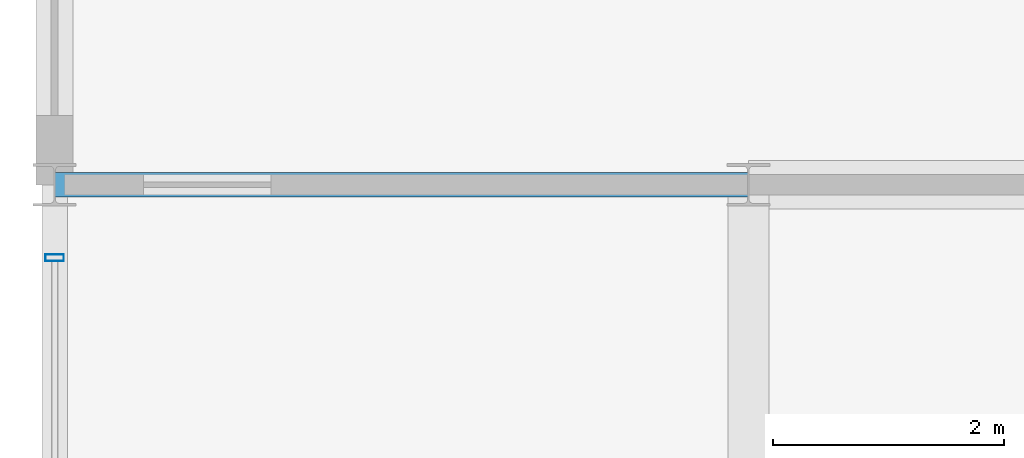
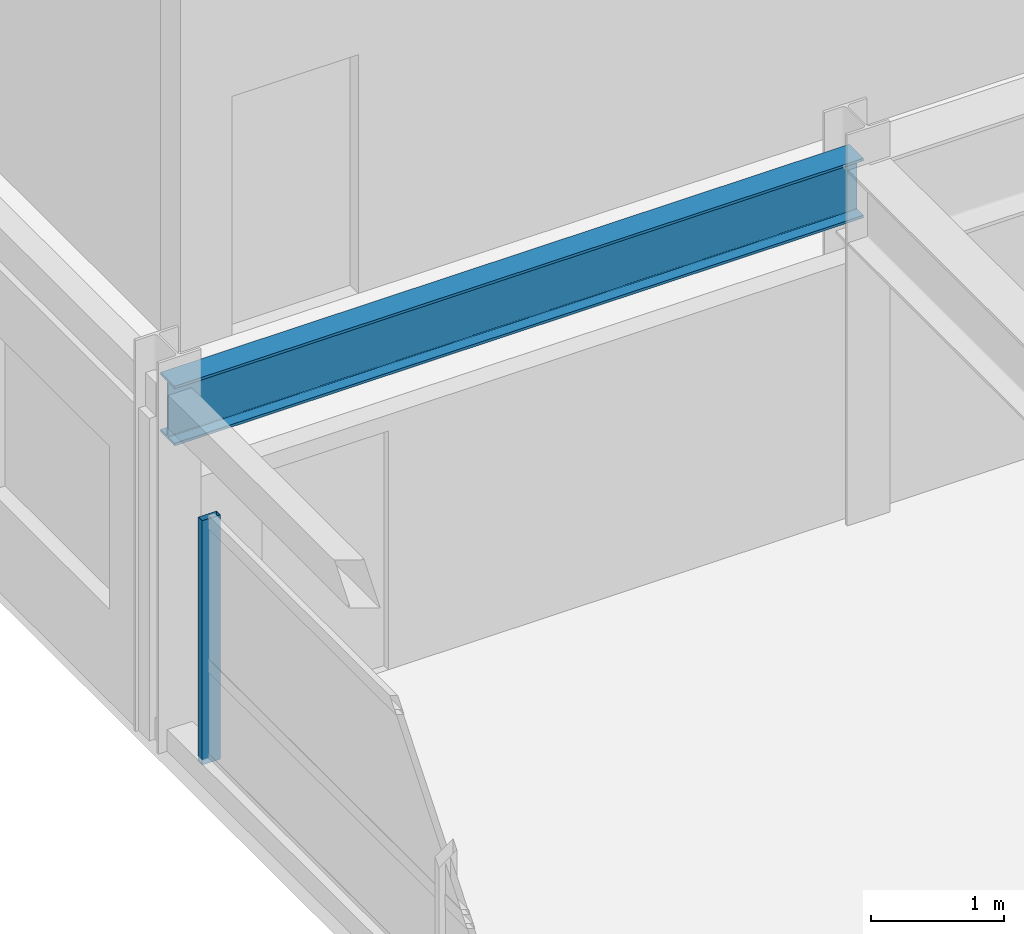
# One storey, part 4 of 22: 1 beam, 1 member, 1 element without a shape of its own.
"""IFC4 building model written with IfcOpenShell, lengths in metres."""

from ifc_helpers import new_model, si_unit, direction, frame, origin, origin_2d, place, context, subcontext, project, spatial, hollow_rectangle, i_section, extrude, material, material_profile, profile_set, type_object, element, aggregate, save


model = new_model("IFC4")

# Units and contexts
model_context = context("Model", 3, precision=1e-05, world=origin(), true_north=direction((0.0, 1.0)))
body_context = subcontext(model_context, "Body", "Model", "MODEL_VIEW")
ifc_project = project(units=[si_unit("LENGTHUNIT", "METRE"), si_unit("AREAUNIT", "SQUARE_METRE"), si_unit("VOLUMEUNIT", "CUBIC_METRE"), si_unit("PLANEANGLEUNIT", "RADIAN"), si_unit("MASSUNIT", "GRAM", prefix="KILO")], contexts=[model_context])

# Site, building, storey
site_placement = place(None, origin())
site = spatial("IfcSite", under=ifc_project, at=site_placement, CompositionType="ELEMENT")
building_placement = place(site_placement, origin())
building = spatial("IfcBuilding", under=site, at=building_placement, Name="Kaldorvane Square Convention Centre", CompositionType="ELEMENT")
storey_placement = place(building_placement, frame((0.0, 0.0, 67.19999694824219)))
storey = spatial("IfcBuildingStorey", under=building, at=storey_placement, Name="L16", CompositionType="ELEMENT", Elevation=67.19999694824219)

# Beam
ifc_material_1 = material(Name="Steel ASTM A992 Gr. 50", Category="steel")
ifc_material_profile_1 = material_profile(ifc_material_1, i_section(OverallWidth=0.213897705078125, OverallDepth=0.549102783203125, WebThickness=0.0146942138671875, FlangeThickness=0.0236053466796875, FilletRadius=0.0126953125, at=origin_2d()), Name="W21X93")
ifc_profile_set_1 = profile_set([ifc_material_profile_1], Name="Steel ASTM A992 Gr. 50")
beam_type = type_object("IfcBeamType", Name="BM-GR-W21X93", PredefinedType="BEAM", material=ifc_profile_set_1)
beam_placement = place(storey_placement, frame((36.0, 96.0, 3.00140380859375), z_axis=(1.0, 0.0, 0.0), x_axis=(0.0, 1.0, 0.0)))
element("IfcBeam", 1, at=beam_placement, inside=storey, type_object=beam_type, Name="Primary Girder (L16)", PredefinedType="BEAM", context=body_context, shape_type="SweptSolid", body=[
    extrude(i_section(OverallWidth=0.213897705078125, OverallDepth=0.549102783203125, WebThickness=0.0146942138671875, FlangeThickness=0.0236053466796875, FilletRadius=0.0126953125, at=origin_2d()), origin(), (0.0, 0.0, 1.0), 6.0),
])

# Curtain wall, member
ifc_material_2 = material(Name="Anodized Aluminum and Low-E Insulated Glazing", Category="aluminium")
curtain_wall_type = type_object("IfcCurtainWallType", Name="CW-UNI-HTL-B", PredefinedType="USERDEFINED", material=ifc_material_2)
curtain_wall_placement = place(storey_placement, origin())
curtain_wall = element("IfcCurtainWall", 2, at=curtain_wall_placement, inside=storey, type_object=curtain_wall_type, Name="Curtain Wall CW-11 (L16)", ObjectType="UNITISED GLAZING", PredefinedType="USERDEFINED")
ifc_material_profile_2 = material_profile(ifc_material_2, hollow_rectangle(XDim=0.05999755859375, YDim=0.160003662109375, WallThickness=0.003204345703125, at=origin_2d()), Name="CWM-160X60")
ifc_profile_set_2 = profile_set([ifc_material_profile_2], Name="Anodized Aluminum and Low-E Insulated Glazing")
member_type = type_object("IfcMemberType", Name="CW-MUL-160", PredefinedType="MULLION", material=ifc_profile_set_2)
member_placement = place(storey_placement, frame((36.0, 95.3699951171875, 0.1500091552734375), z_axis=(0.0, 0.0, 1.0), x_axis=(0.0, -1.0, 0.0)))
member = element("IfcMember", 3, at=member_placement, type_object=member_type, Name="CW-11 mullion 1", PredefinedType="MULLION", context=body_context, shape_type="SweptSolid", body=[
    extrude(hollow_rectangle(XDim=0.05999755859375, YDim=0.160003662109375, WallThickness=0.003204345703125, at=origin_2d()), origin(), (0.0, 0.0, 1.0), 2.25),
])
aggregate(curtain_wall, [member])

save(model, "model.ifc")
